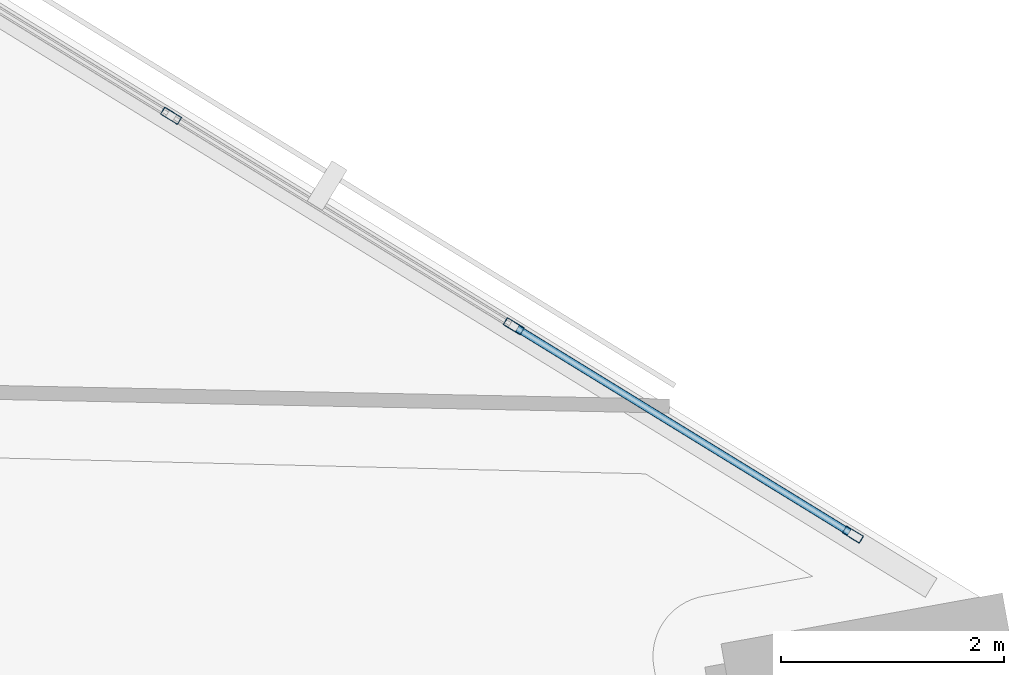
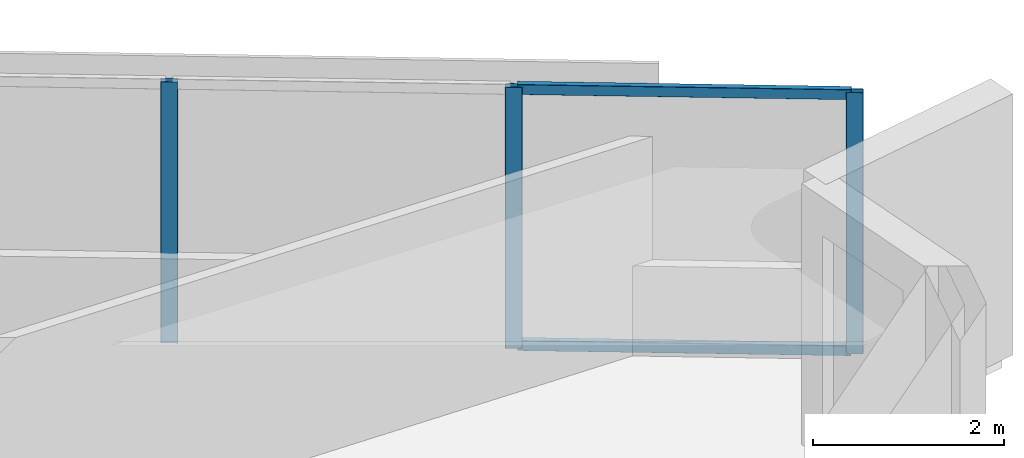
# One storey, part 4 of 18: 5 members, 1 element without a shape of its own.
"""IFC4 building model written with IfcOpenShell, lengths in metres."""

from ifc_helpers import new_model, si_unit, direction, frame, origin, origin_2d, place, context, subcontext, project, spatial, hollow_rectangle, extrude, material, material_profile, profile_set, type_object, element, aggregate, save


model = new_model("IFC4")

# Units and contexts
model_context = context("Model", 3, precision=1e-05, world=origin(), true_north=direction((0.0, 1.0)))
body_context = subcontext(model_context, "Body", "Model", "MODEL_VIEW")
ifc_project = project(units=[si_unit("LENGTHUNIT", "METRE"), si_unit("AREAUNIT", "SQUARE_METRE"), si_unit("VOLUMEUNIT", "CUBIC_METRE"), si_unit("PLANEANGLEUNIT", "RADIAN"), si_unit("MASSUNIT", "GRAM", prefix="KILO")], contexts=[model_context])

# Site, building, storey
site_placement = place(None, origin())
site = spatial("IfcSite", under=ifc_project, at=site_placement, CompositionType="ELEMENT")
building_placement = place(site_placement, origin())
building = spatial("IfcBuilding", under=site, at=building_placement, Name="Narakoshi Arena Tower", CompositionType="ELEMENT")
storey_placement = place(building_placement, frame((0.0, 0.0, 106.5)))
storey = spatial("IfcBuildingStorey", under=building, at=storey_placement, Name="L28", CompositionType="ELEMENT", Elevation=106.5)

# Curtain wall, members
ifc_material = material(Name="Anodised bronze aluminium 6063-T6", Category="aluminium")
curtain_wall_type = type_object("IfcCurtainWallType", Name="CW-HYP-LOW", PredefinedType="NOTDEFINED", material=ifc_material)
curtain_wall_placement = place(storey_placement, origin())
curtain_wall = element("IfcCurtainWall", 1, at=curtain_wall_placement, inside=storey, type_object=curtain_wall_type, Name="L28 Folded Hypotenuse Curtain Wall 1-1", PredefinedType="NOTDEFINED")
ifc_material_profile_1 = material_profile(ifc_material, hollow_rectangle(XDim=0.074951171875, YDim=0.179931640625, WallThickness=0.00390625, OuterFilletRadius=0.0048828125, at=origin_2d()), Name="MUL180x75x4")
ifc_profile_set_1 = profile_set([ifc_material_profile_1], Name="Anodised bronze aluminium 6063-T6")
member_type_1 = type_object("IfcMemberType", Name="MEM-MUL-180", PredefinedType="MULLION", material=ifc_profile_set_1)
member_1_placement = place(storey_placement, frame((119.16259765625, 43.548583984375, 0.0), z_axis=(0.0, 0.0, 1.0), x_axis=(-0.523357676535, -0.852113104237, 0.0)))
member_1 = element("IfcMember", 2, at=member_1_placement, type_object=member_type_1, Name="CW-01 mullion 1", PredefinedType="MULLION", context=body_context, shape_type="SweptSolid", body=[
    extrude(hollow_rectangle(XDim=0.074951171875, YDim=0.179931640625, WallThickness=0.00390625, OuterFilletRadius=0.0048828125, at=origin_2d()), origin(), (0.0, 0.0, 1.0), 3.340087890625),
])
member_2_placement = place(storey_placement, frame((116.11767578125, 45.418701171875, 0.0), z_axis=(0.0, 0.0, 1.0), x_axis=(-0.523357676535, -0.852113104237, 0.0)))
member_2 = element("IfcMember", 3, at=member_2_placement, type_object=member_type_1, Name="CW-01 mullion 2", PredefinedType="MULLION", context=body_context, shape_type="SweptSolid", body=[
    extrude(hollow_rectangle(XDim=0.074951171875, YDim=0.179931640625, WallThickness=0.00390625, OuterFilletRadius=0.0048828125, at=origin_2d()), origin(), (0.0, 0.0, 1.0), 3.340087890625),
])
member_3_placement = place(storey_placement, frame((113.040771484375, 47.30859375, 0.0), z_axis=(0.0, 0.0, 1.0), x_axis=(-0.523357676535, -0.852113104237, 0.0)))
member_3 = element("IfcMember", 4, at=member_3_placement, type_object=member_type_1, Name="CW-01 mullion 3", PredefinedType="MULLION", context=body_context, shape_type="SweptSolid", body=[
    extrude(hollow_rectangle(XDim=0.074951171875, YDim=0.179931640625, WallThickness=0.00390625, OuterFilletRadius=0.0048828125, at=origin_2d()), origin(), (0.0, 0.0, 1.0), 3.340087890625),
])
ifc_material_profile_2 = material_profile(ifc_material, hollow_rectangle(XDim=0.06494140625, YDim=0.1298828125, WallThickness=0.00390625, OuterFilletRadius=0.0048828125, at=origin_2d()), Name="TRN130x65x4")
ifc_profile_set_2 = profile_set([ifc_material_profile_2], Name="Anodised bronze aluminium 6063-T6")
member_type_2 = type_object("IfcMemberType", Name="MEM-TRN-130", PredefinedType="USERDEFINED", material=ifc_profile_set_2)
member_4_placement = place(storey_placement, frame((119.130615234375, 43.568359375, 0.032470703125), z_axis=(-0.852120447829, 0.52334571976, 0.0), x_axis=(-0.52334571976, -0.852120447829, 0.0)))
member_4 = element("IfcMember", 5, at=member_4_placement, type_object=member_type_2, Name="CW-01 transom 1.1", ObjectType="TRANSOM", PredefinedType="USERDEFINED", context=body_context, shape_type="SweptSolid", body=[
    extrude(hollow_rectangle(XDim=0.06494140625, YDim=0.1298828125, WallThickness=0.00390625, OuterFilletRadius=0.0048828125, at=origin_2d()), origin(), (0.0, 0.0, 1.0), 3.498291015625),
])
member_5_placement = place(storey_placement, frame((119.130615234375, 43.568359375, 3.3076171875), z_axis=(-0.852120447829, 0.52334571976, 0.0), x_axis=(-0.52334571976, -0.852120447829, 0.0)))
member_5 = element("IfcMember", 6, at=member_5_placement, type_object=member_type_2, Name="CW-01 transom 1.2", ObjectType="TRANSOM", PredefinedType="USERDEFINED", context=body_context, shape_type="SweptSolid", body=[
    extrude(hollow_rectangle(XDim=0.06494140625, YDim=0.1298828125, WallThickness=0.00390625, OuterFilletRadius=0.0048828125, at=origin_2d()), origin(), (0.0, 0.0, 1.0), 3.498291015625),
])
aggregate(curtain_wall, [member_1, member_2, member_3, member_4, member_5])

save(model, "model.ifc")
